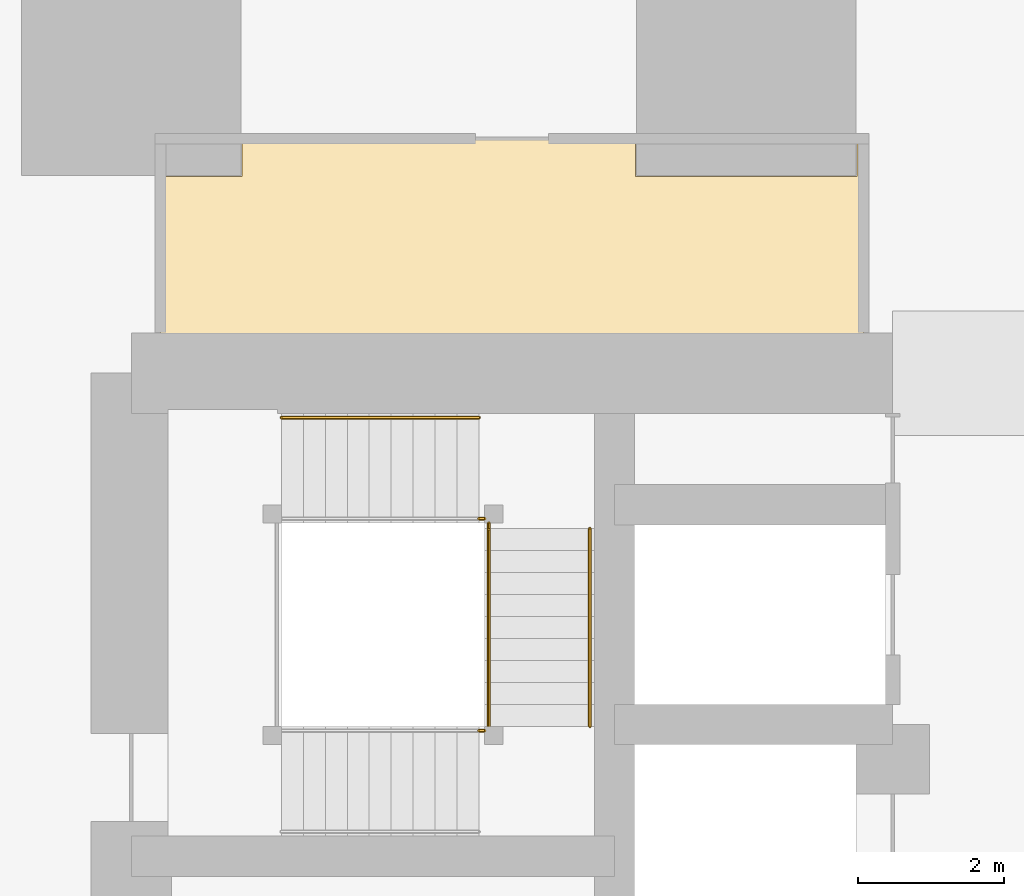
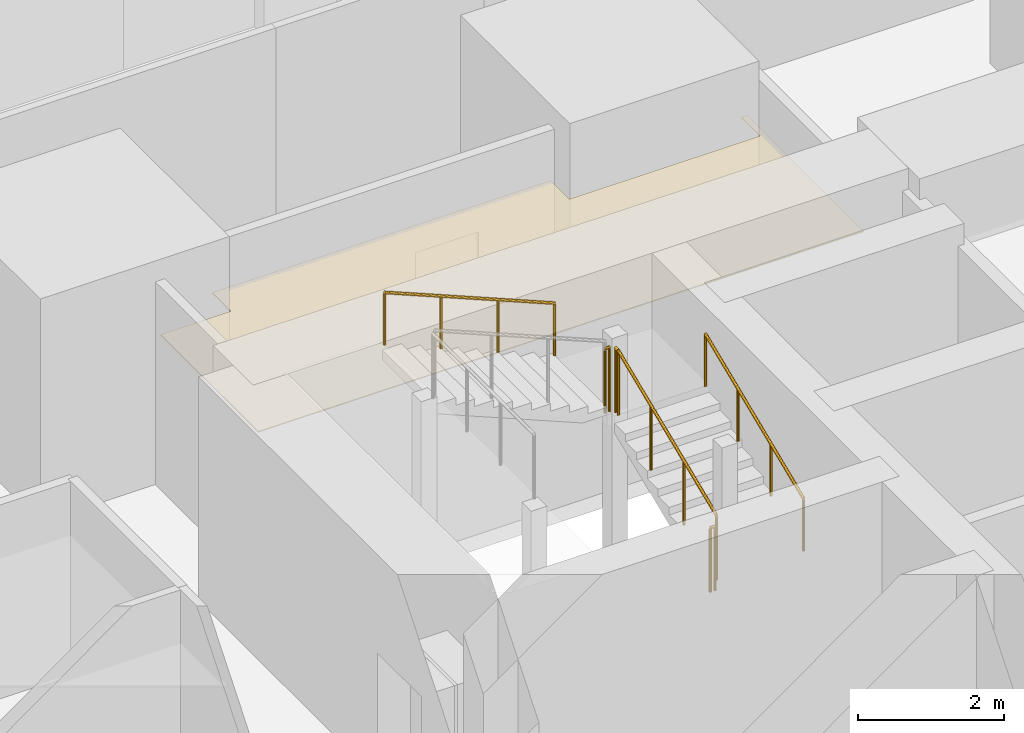
# One storey, part 41 of 44: 6 railings, 1 covering.
"""IFC4 building model written with IfcOpenShell, lengths in metres."""

from ifc_helpers import new_model, si_unit, direction, frame, origin, origin_2d, place, context, subcontext, project, spatial, polyline, circle, outline, extrude, material, layer, layer_set, type_object, element, save


model = new_model("IFC4")

# Units and contexts
model_context = context("Model", 3, precision=1e-05, world=origin(), true_north=direction((0.0, 1.0)))
body_context = subcontext(model_context, "Body", "Model", "MODEL_VIEW")
ifc_project = project(units=[si_unit("LENGTHUNIT", "METRE"), si_unit("AREAUNIT", "SQUARE_METRE"), si_unit("VOLUMEUNIT", "CUBIC_METRE"), si_unit("PLANEANGLEUNIT", "RADIAN"), si_unit("MASSUNIT", "GRAM", prefix="KILO")], contexts=[model_context])

# Site, building, storey
site_placement = place(None, origin())
site = spatial("IfcSite", under=ifc_project, at=site_placement, CompositionType="ELEMENT")
building_placement = place(site_placement, origin())
building = spatial("IfcBuilding", under=site, at=building_placement, Name="Rekha Terrace Tower", CompositionType="ELEMENT")
storey_placement = place(building_placement, frame((0.0, 0.0, 81.64990234375)))
storey = spatial("IfcBuildingStorey", under=building, at=storey_placement, Name="L20", CompositionType="ELEMENT", Elevation=81.64990234375)

# Covering
ifc_material_1 = material(Name="Fibre cement board", Category="finish")
ifc_layer = layer(ifc_material_1, 0.014892578125)
ifc_layer_set = layer_set([ifc_layer], Name="Fibre cement board")
covering_type = type_object("IfcCoveringType", Name="CL2 moisture-resistant board ceiling", PredefinedType="CEILING", material=ifc_layer_set)
covering_placement = place(storey_placement, frame((0.0, 0.0, 2.485107421875)))
element("IfcCovering", 1, at=covering_placement, inside=storey, type_object=covering_type, Name="Ceiling L20-WCF2", PredefinedType="CEILING", context=body_context, shape_type="SweptSolid", body=[
    extrude(outline(polyline([(26.715087890625, 48.885009765625), (25.60009765625, 48.885009765625), (25.60009765625, 46.199951171875), (35.199951171875, 46.199951171875), (35.199951171875, 49.39990234375), (35.114990234375, 49.39990234375), (35.114990234375, 48.885009765625), (32.0849609375, 48.885009765625), (32.0849609375, 49.39990234375), (26.715087890625, 49.39990234375), (26.715087890625, 48.885009765625)])), origin(), (0.0, 0.0, 1.0), 0.014892578125),
])

# Railings
ifc_material_2 = material(Name="Stainless steel balustrade", Category="steel")
railing_type_1 = type_object("IfcRailingType", Name="GR1 1100 stair guard", PredefinedType="GUARDRAIL", material=ifc_material_2)
railing_1_placement = place(storey_placement, frame((30.0849609375, 41.375, 1.375)))
element("IfcRailing", 2, at=railing_1_placement, inside=storey, type_object=railing_type_1, Name="Guard ST4 L20 flight 2", PredefinedType="GUARDRAIL", context=body_context, shape_type="SweptSolid", body=[
    extrude(circle(Radius=0.02392578125, at=origin_2d()), frame((0.0, 0.0, 1.076171875), z_axis=(0.0, 0.923074453586, 0.384621311341), x_axis=(-1.0, 0.0, 0.0)), (0.0, 0.0, 1.0), 2.925048828125),
    extrude(circle(Radius=0.02099609375, at=origin_2d()), origin(), (0.0, 0.0, 1.0), 1.052001953125),
    extrude(circle(Radius=0.02099609375, at=origin_2d()), frame((0.0, 0.89990234375, 0.375)), (0.0, 0.0, 1.0), 1.052001953125),
    extrude(circle(Radius=0.02099609375, at=origin_2d()), frame((0.0, 1.800048828125, 0.75)), (0.0, 0.0, 1.0), 1.052001953125),
    extrude(circle(Radius=0.02099609375, at=origin_2d()), frame((0.0, 2.699951171875, 1.125)), (0.0, 0.0, 1.0), 1.052001953125),
])
railing_2_placement = place(storey_placement, frame((29.949951171875, 41.31494140625, 1.25)))
element("IfcRailing", 3, at=railing_2_placement, inside=storey, type_object=railing_type_1, Name="Guard ST4 L20 landing 1", PredefinedType="GUARDRAIL", context=body_context, shape_type="SweptSolid", body=[
    extrude(circle(Radius=0.02392578125, at=origin_2d()), frame((0.0, 0.0, 1.076171875), z_axis=(1.0, 0.0, 0.0), x_axis=(0.0, 1.0, 0.0)), (0.0, 0.0, 1.0), 0.074951171875),
    extrude(circle(Radius=0.02099609375, at=origin_2d()), origin(), (0.0, 0.0, 1.0), 1.052001953125),
    extrude(circle(Radius=0.02099609375, at=origin_2d()), frame((0.074951171875, 0.0, 0.0)), (0.0, 0.0, 1.0), 1.052001953125),
])
railing_3_placement = place(storey_placement, frame((30.0849609375, 44.074951171875, 2.5)))
element("IfcRailing", 4, at=railing_3_placement, inside=storey, type_object=railing_type_1, Name="Guard ST4 L20 landing 2", PredefinedType="GUARDRAIL", context=body_context, shape_type="SweptSolid", body=[
    extrude(circle(Radius=0.02392578125, at=origin_2d()), frame((0.0, 0.0, 1.076171875), z_axis=(0.0, 1.0, 0.0), x_axis=(-1.0, 0.0, 0.0)), (0.0, 0.0, 1.0), 0.074951171875),
    extrude(circle(Radius=0.02099609375, at=origin_2d()), origin(), (0.0, 0.0, 1.0), 1.052001953125),
    extrude(circle(Radius=0.02099609375, at=origin_2d()), frame((0.0, 0.074951171875, 0.0)), (0.0, 0.0, 1.0), 1.052001953125),
])
railing_4_placement = place(storey_placement, frame((29.949951171875, 44.2099609375, 2.5)))
element("IfcRailing", 5, at=railing_4_placement, inside=storey, type_object=railing_type_1, Name="Guard ST4 L20 landing 3", PredefinedType="GUARDRAIL", context=body_context, shape_type="SweptSolid", body=[
    extrude(circle(Radius=0.02392578125, at=origin_2d()), frame((0.0, 0.0, 1.076171875), z_axis=(1.0, 0.0, 0.0), x_axis=(0.0, 1.0, 0.0)), (0.0, 0.0, 1.0), 0.074951171875),
    extrude(circle(Radius=0.02099609375, at=origin_2d()), origin(), (0.0, 0.0, 1.0), 1.052001953125),
    extrude(circle(Radius=0.02099609375, at=origin_2d()), frame((0.074951171875, 0.0, 0.0)), (0.0, 0.0, 1.0), 1.052001953125),
])
ifc_material_3 = material(Name="Stainless steel tube", Category="steel")
railing_type_2 = type_object("IfcRailingType", Name="HR1 900 stair handrail", PredefinedType="HANDRAIL", material=ifc_material_3)
railing_5_placement = place(storey_placement, frame((31.465087890625, 41.375, 1.375)))
element("IfcRailing", 6, at=railing_5_placement, inside=storey, type_object=railing_type_2, Name="Handrail ST4 L20 flight 2", PredefinedType="HANDRAIL", context=body_context, shape_type="SweptSolid", body=[
    extrude(circle(Radius=0.02392578125, at=origin_2d()), frame((0.0, 0.0, 0.8759765625), z_axis=(0.0, 0.923074453586, 0.384621311341), x_axis=(-1.0, 0.0, 0.0)), (0.0, 0.0, 1.0), 2.925048828125),
    extrude(circle(Radius=0.02099609375, at=origin_2d()), origin(), (0.0, 0.0, 1.0), 0.851806640625),
    extrude(circle(Radius=0.02099609375, at=origin_2d()), frame((0.0, 0.89990234375, 0.375)), (0.0, 0.0, 1.0), 0.851806640625),
    extrude(circle(Radius=0.02099609375, at=origin_2d()), frame((0.0, 1.800048828125, 0.75)), (0.0, 0.0, 1.0), 0.851806640625),
    extrude(circle(Radius=0.02099609375, at=origin_2d()), frame((0.0, 2.699951171875, 1.125)), (0.0, 0.0, 1.0), 0.851806640625),
])
railing_6_placement = place(storey_placement, frame((29.949951171875, 45.590087890625, 2.625)))
element("IfcRailing", 7, at=railing_6_placement, inside=storey, type_object=railing_type_2, Name="Handrail ST4 L20 flight 3", PredefinedType="HANDRAIL", context=body_context, shape_type="SweptSolid", body=[
    extrude(circle(Radius=0.02392578125, at=origin_2d()), frame((0.0, 0.0, 0.8759765625), z_axis=(-0.923074453586, 0.0, 0.384621311341), x_axis=(0.0, -1.0, 0.0)), (0.0, 0.0, 1.0), 2.925048828125),
    extrude(circle(Radius=0.02099609375, at=origin_2d()), origin(), (0.0, 0.0, 1.0), 0.851806640625),
    extrude(circle(Radius=0.02099609375, at=origin_2d()), frame((-0.89990234375, 0.0, 0.375)), (0.0, 0.0, 1.0), 0.851806640625),
    extrude(circle(Radius=0.02099609375, at=origin_2d()), frame((-1.800048828125, 0.0, 0.75)), (0.0, 0.0, 1.0), 0.851806640625),
    extrude(circle(Radius=0.02099609375, at=origin_2d()), frame((-2.699951171875, 0.0, 1.125)), (0.0, 0.0, 1.0), 0.851806640625),
])

save(model, "model.ifc")
